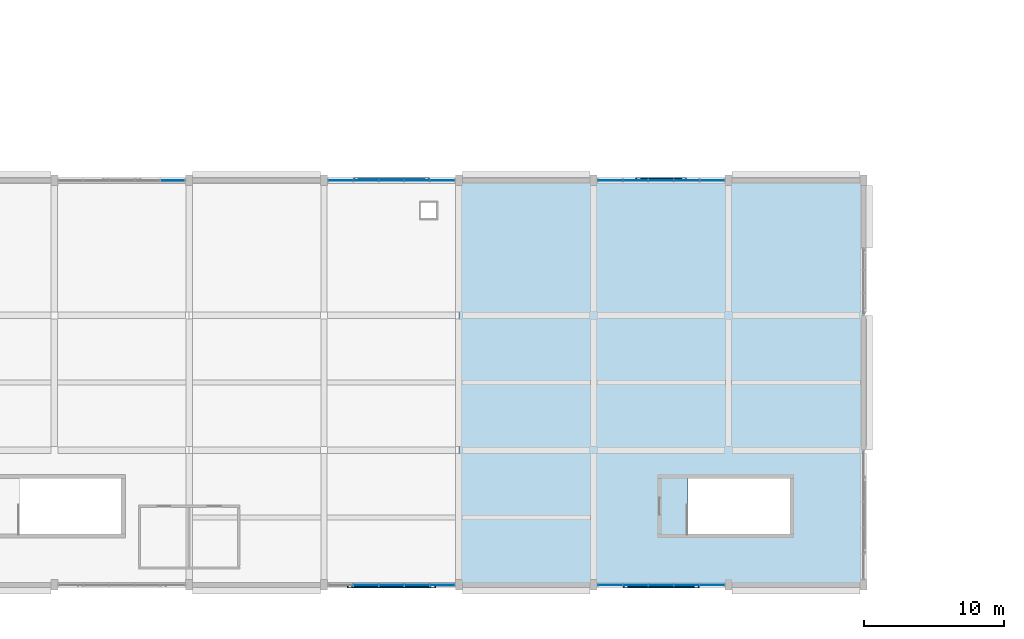
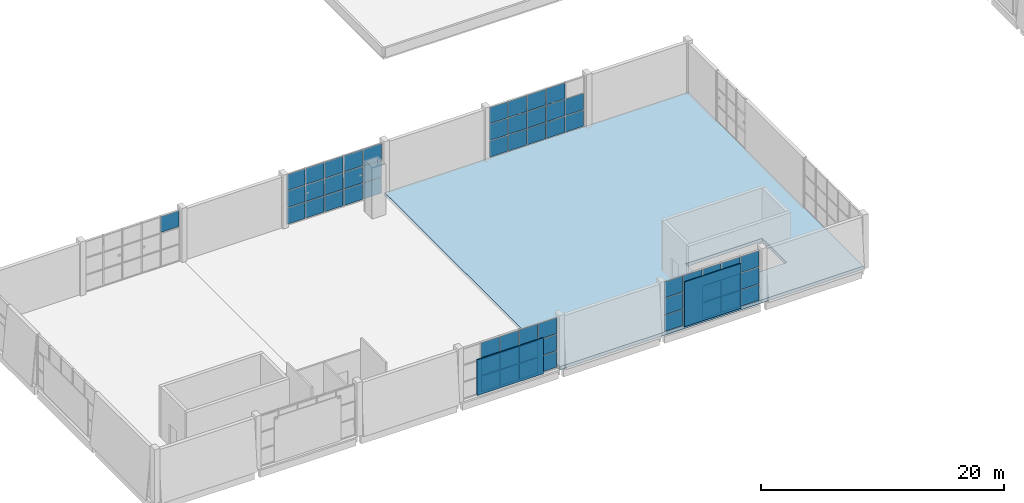
# One storey, part 35 of 72: 61 plates, 1 slab, 5 elements without a shape of their own.
"""IFC4 building model written with IfcOpenShell, lengths in metres."""

from ifc_helpers import new_model, si_unit, direction, frame, origin, origin_2d, place, context, subcontext, project, spatial, polyline, rectangle, outline, extrude, material, layer, layer_set, type_object, element, aggregate, save


model = new_model("IFC4")

# Units and contexts
model_context = context("Model", 3, precision=1e-05, world=origin(), true_north=direction((0.0, 1.0)))
body_context = subcontext(model_context, "Body", "Model", "MODEL_VIEW")
ifc_project = project(units=[si_unit("LENGTHUNIT", "METRE"), si_unit("AREAUNIT", "SQUARE_METRE"), si_unit("VOLUMEUNIT", "CUBIC_METRE"), si_unit("PLANEANGLEUNIT", "RADIAN"), si_unit("MASSUNIT", "GRAM", prefix="KILO")], contexts=[model_context])

# Site, building, storey
site_placement = place(None, origin())
site = spatial("IfcSite", under=ifc_project, at=site_placement, CompositionType="ELEMENT")
building_placement = place(site_placement, origin())
building = spatial("IfcBuilding", under=site, at=building_placement, Name="Shalvenor Court Art Gallery", CompositionType="ELEMENT")
storey_placement = place(building_placement, frame((0.0, 0.0, 11.39990234375)))
storey = spatial("IfcBuildingStorey", under=building, at=storey_placement, Name="L02", CompositionType="ELEMENT", Elevation=11.39990234375)

# Curtain wall, plate
ifc_material_1 = material(Name="Anodised aluminium and low-iron glass curtain wall", Category="aluminium")
curtain_wall_type_1 = type_object("IfcCurtainWallType", Name="CW-5x3-91-51-141", PredefinedType="USERDEFINED", material=ifc_material_1)
curtain_wall_1_placement = place(storey_placement, origin())
curtain_wall_1 = element("IfcCurtainWall", 1, at=curtain_wall_1_placement, inside=storey, type_object=curtain_wall_type_1, Name="L02 V4 Curtain Wall CW-L02-140", ObjectType="CURTAIN WALL", PredefinedType="USERDEFINED")
ifc_material_2 = material(Name="Low-iron UV-laminated double glazing IGU", Category="glass")
ifc_layer_1 = layer(ifc_material_2, 0.028076171875, Name="Low-iron UV-laminated double glazing IGU")
ifc_layer_set_1 = layer_set([ifc_layer_1], Name="Low-iron UV-laminated double glazing IGU")
plate_type_1 = type_object("IfcPlateType", Name="CWP-01", PredefinedType="CURTAIN_PANEL", material=ifc_layer_set_1)
plate_1_placement = place(storey_placement, frame((18.023681640625, 28.800048828125, 3.43505859375), z_axis=(0.0, 0.0, 1.0), x_axis=(1.0, 0.0, 0.0)))
plate_1 = element("IfcPlate", 2, at=plate_1_placement, type_object=plate_type_1, Name="CW-5x3-91-51-141 panel 5.3", PredefinedType="CURTAIN_PANEL", context=body_context, shape_type="SweptSolid", body=[
    extrude(rectangle(XDim=1.722412109375, YDim=0.028076171875, at=origin_2d()), origin(), (0.0, 0.0, 1.0), 1.594970703125),
])
aggregate(curtain_wall_1, [plate_1])

# Curtain wall, plates
ifc_material_3 = material(Name="Anodised aluminium and low-iron glass curtain wall", Category="aluminium")
curtain_wall_type_2 = type_object("IfcCurtainWallType", Name="CW-5x3-91-51-211", PredefinedType="USERDEFINED", material=ifc_material_3)
curtain_wall_2_placement = place(storey_placement, origin())
curtain_wall_2 = element("IfcCurtainWall", 3, at=curtain_wall_2_placement, inside=storey, type_object=curtain_wall_type_2, Name="L02 V4 Curtain Wall CW-L02-141", ObjectType="CURTAIN WALL", PredefinedType="USERDEFINED")
plate_2_placement = place(storey_placement, frame((29.9775390625, 28.800048828125, 0.06005859375), z_axis=(0.0, 0.0, 1.0), x_axis=(1.0, 0.0, 0.0)))
plate_2 = element("IfcPlate", 4, at=plate_2_placement, type_object=plate_type_1, Name="CW-5x3-91-51-211 panel 1.1", PredefinedType="CURTAIN_PANEL", context=body_context, shape_type="SweptSolid", body=[
    extrude(rectangle(XDim=1.715087890625, YDim=0.028076171875, at=origin_2d()), origin(), (0.0, 0.0, 1.0), 1.610107421875),
])
plate_3_placement = place(storey_placement, frame((29.9775390625, 28.800048828125, 1.72998046875), z_axis=(0.0, 0.0, 1.0), x_axis=(1.0, 0.0, 0.0)))
plate_3 = element("IfcPlate", 5, at=plate_3_placement, type_object=plate_type_1, Name="CW-5x3-91-51-211 panel 1.2", PredefinedType="CURTAIN_PANEL", context=body_context, shape_type="SweptSolid", body=[
    extrude(rectangle(XDim=1.715087890625, YDim=0.028076171875, at=origin_2d()), origin(), (0.0, 0.0, 1.0), 1.639892578125),
])
plate_4_placement = place(storey_placement, frame((29.9775390625, 28.800048828125, 3.43017578125), z_axis=(0.0, 0.0, 1.0), x_axis=(1.0, 0.0, 0.0)))
plate_4 = element("IfcPlate", 6, at=plate_4_placement, type_object=plate_type_1, Name="CW-5x3-91-51-211 panel 1.3", PredefinedType="CURTAIN_PANEL", context=body_context, shape_type="SweptSolid", body=[
    extrude(rectangle(XDim=1.715087890625, YDim=0.028076171875, at=origin_2d()), origin(), (0.0, 0.0, 1.0), 1.610107421875),
])
plate_5_placement = place(storey_placement, frame((31.780029296875, 28.800048828125, 0.06005859375), z_axis=(0.0, 0.0, 1.0), x_axis=(1.0, 0.0, 0.0)))
plate_5 = element("IfcPlate", 7, at=plate_5_placement, type_object=plate_type_1, Name="CW-5x3-91-51-211 panel 2.1", PredefinedType="CURTAIN_PANEL", context=body_context, shape_type="SweptSolid", body=[
    extrude(rectangle(XDim=1.75, YDim=0.028076171875, at=origin_2d()), origin(), (0.0, 0.0, 1.0), 1.610107421875),
])
plate_6_placement = place(storey_placement, frame((31.780029296875, 28.800048828125, 1.72998046875), z_axis=(0.0, 0.0, 1.0), x_axis=(1.0, 0.0, 0.0)))
plate_6 = element("IfcPlate", 8, at=plate_6_placement, type_object=plate_type_1, Name="CW-5x3-91-51-211 panel 2.2", PredefinedType="CURTAIN_PANEL", context=body_context, shape_type="SweptSolid", body=[
    extrude(rectangle(XDim=1.75, YDim=0.028076171875, at=origin_2d()), origin(), (0.0, 0.0, 1.0), 1.639892578125),
])
plate_7_placement = place(storey_placement, frame((31.780029296875, 28.800048828125, 3.43017578125), z_axis=(0.0, 0.0, 1.0), x_axis=(1.0, 0.0, 0.0)))
plate_7 = element("IfcPlate", 9, at=plate_7_placement, type_object=plate_type_1, Name="CW-5x3-91-51-211 panel 2.3", PredefinedType="CURTAIN_PANEL", context=body_context, shape_type="SweptSolid", body=[
    extrude(rectangle(XDim=1.75, YDim=0.028076171875, at=origin_2d()), origin(), (0.0, 0.0, 1.0), 1.610107421875),
])
plate_8_placement = place(storey_placement, frame((33.60009765625, 28.800048828125, 0.06005859375), z_axis=(0.0, 0.0, 1.0), x_axis=(1.0, 0.0, 0.0)))
plate_8 = element("IfcPlate", 10, at=plate_8_placement, type_object=plate_type_1, Name="CW-5x3-91-51-211 panel 3.1", PredefinedType="CURTAIN_PANEL", context=body_context, shape_type="SweptSolid", body=[
    extrude(rectangle(XDim=1.75, YDim=0.028076171875, at=origin_2d()), origin(), (0.0, 0.0, 1.0), 1.610107421875),
])
plate_9_placement = place(storey_placement, frame((33.60009765625, 28.800048828125, 1.72998046875), z_axis=(0.0, 0.0, 1.0), x_axis=(1.0, 0.0, 0.0)))
plate_9 = element("IfcPlate", 11, at=plate_9_placement, type_object=plate_type_1, Name="CW-5x3-91-51-211 panel 3.2", PredefinedType="CURTAIN_PANEL", context=body_context, shape_type="SweptSolid", body=[
    extrude(rectangle(XDim=1.75, YDim=0.028076171875, at=origin_2d()), origin(), (0.0, 0.0, 1.0), 1.639892578125),
])
plate_10_placement = place(storey_placement, frame((33.60009765625, 28.800048828125, 3.43017578125), z_axis=(0.0, 0.0, 1.0), x_axis=(1.0, 0.0, 0.0)))
plate_10 = element("IfcPlate", 12, at=plate_10_placement, type_object=plate_type_1, Name="CW-5x3-91-51-211 panel 3.3", PredefinedType="CURTAIN_PANEL", context=body_context, shape_type="SweptSolid", body=[
    extrude(rectangle(XDim=1.75, YDim=0.028076171875, at=origin_2d()), origin(), (0.0, 0.0, 1.0), 1.610107421875),
])
plate_11_placement = place(storey_placement, frame((35.419921875, 28.800048828125, 0.06005859375), z_axis=(0.0, 0.0, 1.0), x_axis=(1.0, 0.0, 0.0)))
plate_11 = element("IfcPlate", 13, at=plate_11_placement, type_object=plate_type_1, Name="CW-5x3-91-51-211 panel 4.1", PredefinedType="CURTAIN_PANEL", context=body_context, shape_type="SweptSolid", body=[
    extrude(rectangle(XDim=1.75, YDim=0.028076171875, at=origin_2d()), origin(), (0.0, 0.0, 1.0), 1.610107421875),
])
plate_12_placement = place(storey_placement, frame((35.419921875, 28.800048828125, 1.72998046875), z_axis=(0.0, 0.0, 1.0), x_axis=(1.0, 0.0, 0.0)))
plate_12 = element("IfcPlate", 14, at=plate_12_placement, type_object=plate_type_1, Name="CW-5x3-91-51-211 panel 4.2", PredefinedType="CURTAIN_PANEL", context=body_context, shape_type="SweptSolid", body=[
    extrude(rectangle(XDim=1.75, YDim=0.028076171875, at=origin_2d()), origin(), (0.0, 0.0, 1.0), 1.639892578125),
])
plate_13_placement = place(storey_placement, frame((35.419921875, 28.800048828125, 3.43017578125), z_axis=(0.0, 0.0, 1.0), x_axis=(1.0, 0.0, 0.0)))
plate_13 = element("IfcPlate", 15, at=plate_13_placement, type_object=plate_type_1, Name="CW-5x3-91-51-211 panel 4.3", PredefinedType="CURTAIN_PANEL", context=body_context, shape_type="SweptSolid", body=[
    extrude(rectangle(XDim=1.75, YDim=0.028076171875, at=origin_2d()), origin(), (0.0, 0.0, 1.0), 1.610107421875),
])
plate_14_placement = place(storey_placement, frame((37.222412109375, 28.800048828125, 0.06005859375), z_axis=(0.0, 0.0, 1.0), x_axis=(1.0, 0.0, 0.0)))
plate_14 = element("IfcPlate", 16, at=plate_14_placement, type_object=plate_type_1, Name="CW-5x3-91-51-211 panel 5.1", PredefinedType="CURTAIN_PANEL", context=body_context, shape_type="SweptSolid", body=[
    extrude(rectangle(XDim=1.715087890625, YDim=0.028076171875, at=origin_2d()), origin(), (0.0, 0.0, 1.0), 1.610107421875),
])
plate_15_placement = place(storey_placement, frame((37.222412109375, 28.800048828125, 1.72998046875), z_axis=(0.0, 0.0, 1.0), x_axis=(1.0, 0.0, 0.0)))
plate_15 = element("IfcPlate", 17, at=plate_15_placement, type_object=plate_type_1, Name="CW-5x3-91-51-211 panel 5.2", PredefinedType="CURTAIN_PANEL", context=body_context, shape_type="SweptSolid", body=[
    extrude(rectangle(XDim=1.715087890625, YDim=0.028076171875, at=origin_2d()), origin(), (0.0, 0.0, 1.0), 1.639892578125),
])
plate_16_placement = place(storey_placement, frame((37.222412109375, 28.800048828125, 3.43017578125), z_axis=(0.0, 0.0, 1.0), x_axis=(1.0, 0.0, 0.0)))
plate_16 = element("IfcPlate", 18, at=plate_16_placement, type_object=plate_type_1, Name="CW-5x3-91-51-211 panel 5.3", PredefinedType="CURTAIN_PANEL", context=body_context, shape_type="SweptSolid", body=[
    extrude(rectangle(XDim=1.715087890625, YDim=0.028076171875, at=origin_2d()), origin(), (0.0, 0.0, 1.0), 1.610107421875),
])
aggregate(curtain_wall_2, [plate_2, plate_3, plate_4, plate_5, plate_6, plate_7, plate_8, plate_9, plate_10, plate_11, plate_12, plate_13, plate_14, plate_15, plate_16])

ifc_material_4 = material(Name="Anodised aluminium and low-iron glass curtain wall", Category="aluminium")
curtain_wall_type_3 = type_object("IfcCurtainWallType", Name="CW-5x3-91-51-421", PredefinedType="USERDEFINED", material=ifc_material_4)
curtain_wall_3_placement = place(storey_placement, origin())
curtain_wall_3 = element("IfcCurtainWall", 19, at=curtain_wall_3_placement, inside=storey, type_object=curtain_wall_type_3, Name="L02 V4 Curtain Wall CW-L02-142", ObjectType="CURTAIN WALL", PredefinedType="USERDEFINED")
plate_17_placement = place(storey_placement, frame((49.1787109375, 28.800048828125, 0.065185546875), z_axis=(0.0, 0.0, 1.0), x_axis=(1.0, 0.0, 0.0)))
plate_17 = element("IfcPlate", 20, at=plate_17_placement, type_object=plate_type_1, Name="CW-5x3-91-51-421 panel 1.1", PredefinedType="CURTAIN_PANEL", context=body_context, shape_type="SweptSolid", body=[
    extrude(rectangle(XDim=1.70751953125, YDim=0.028076171875, at=origin_2d()), origin(), (0.0, 0.0, 1.0), 1.6025390625),
])
plate_18_placement = place(storey_placement, frame((49.1787109375, 28.800048828125, 1.732421875), z_axis=(0.0, 0.0, 1.0), x_axis=(1.0, 0.0, 0.0)))
plate_18 = element("IfcPlate", 21, at=plate_18_placement, type_object=plate_type_1, Name="CW-5x3-91-51-421 panel 1.2", PredefinedType="CURTAIN_PANEL", context=body_context, shape_type="SweptSolid", body=[
    extrude(rectangle(XDim=1.70751953125, YDim=0.028076171875, at=origin_2d()), origin(), (0.0, 0.0, 1.0), 1.635009765625),
])
plate_19_placement = place(storey_placement, frame((49.1787109375, 28.800048828125, 3.4326171875), z_axis=(0.0, 0.0, 1.0), x_axis=(1.0, 0.0, 0.0)))
plate_19 = element("IfcPlate", 22, at=plate_19_placement, type_object=plate_type_1, Name="CW-5x3-91-51-421 panel 1.3", PredefinedType="CURTAIN_PANEL", context=body_context, shape_type="SweptSolid", body=[
    extrude(rectangle(XDim=1.70751953125, YDim=0.028076171875, at=origin_2d()), origin(), (0.0, 0.0, 1.0), 1.6025390625),
])
plate_20_placement = place(storey_placement, frame((50.97998046875, 28.800048828125, 0.065185546875), z_axis=(0.0, 0.0, 1.0), x_axis=(1.0, 0.0, 0.0)))
plate_20 = element("IfcPlate", 23, at=plate_20_placement, type_object=plate_type_1, Name="CW-5x3-91-51-421 panel 2.1", PredefinedType="CURTAIN_PANEL", context=body_context, shape_type="SweptSolid", body=[
    extrude(rectangle(XDim=1.7451171875, YDim=0.028076171875, at=origin_2d()), origin(), (0.0, 0.0, 1.0), 1.6025390625),
])
plate_21_placement = place(storey_placement, frame((50.97998046875, 28.800048828125, 1.732421875), z_axis=(0.0, 0.0, 1.0), x_axis=(1.0, 0.0, 0.0)))
plate_21 = element("IfcPlate", 24, at=plate_21_placement, type_object=plate_type_1, Name="CW-5x3-91-51-421 panel 2.2", PredefinedType="CURTAIN_PANEL", context=body_context, shape_type="SweptSolid", body=[
    extrude(rectangle(XDim=1.7451171875, YDim=0.028076171875, at=origin_2d()), origin(), (0.0, 0.0, 1.0), 1.635009765625),
])
plate_22_placement = place(storey_placement, frame((50.97998046875, 28.800048828125, 3.4326171875), z_axis=(0.0, 0.0, 1.0), x_axis=(1.0, 0.0, 0.0)))
plate_22 = element("IfcPlate", 25, at=plate_22_placement, type_object=plate_type_1, Name="CW-5x3-91-51-421 panel 2.3", PredefinedType="CURTAIN_PANEL", context=body_context, shape_type="SweptSolid", body=[
    extrude(rectangle(XDim=1.7451171875, YDim=0.028076171875, at=origin_2d()), origin(), (0.0, 0.0, 1.0), 1.6025390625),
])
plate_23_placement = place(storey_placement, frame((52.800048828125, 28.800048828125, 0.065185546875), z_axis=(0.0, 0.0, 1.0), x_axis=(1.0, 0.0, 0.0)))
plate_23 = element("IfcPlate", 26, at=plate_23_placement, type_object=plate_type_1, Name="CW-5x3-91-51-421 panel 3.1", PredefinedType="CURTAIN_PANEL", context=body_context, shape_type="SweptSolid", body=[
    extrude(rectangle(XDim=1.7451171875, YDim=0.028076171875, at=origin_2d()), origin(), (0.0, 0.0, 1.0), 1.6025390625),
])
plate_24_placement = place(storey_placement, frame((52.800048828125, 28.800048828125, 1.732421875), z_axis=(0.0, 0.0, 1.0), x_axis=(1.0, 0.0, 0.0)))
plate_24 = element("IfcPlate", 27, at=plate_24_placement, type_object=plate_type_1, Name="CW-5x3-91-51-421 panel 3.2", PredefinedType="CURTAIN_PANEL", context=body_context, shape_type="SweptSolid", body=[
    extrude(rectangle(XDim=1.7451171875, YDim=0.028076171875, at=origin_2d()), origin(), (0.0, 0.0, 1.0), 1.635009765625),
])
plate_25_placement = place(storey_placement, frame((52.800048828125, 28.800048828125, 3.4326171875), z_axis=(0.0, 0.0, 1.0), x_axis=(1.0, 0.0, 0.0)))
plate_25 = element("IfcPlate", 28, at=plate_25_placement, type_object=plate_type_1, Name="CW-5x3-91-51-421 panel 3.3", PredefinedType="CURTAIN_PANEL", context=body_context, shape_type="SweptSolid", body=[
    extrude(rectangle(XDim=1.7451171875, YDim=0.028076171875, at=origin_2d()), origin(), (0.0, 0.0, 1.0), 1.6025390625),
])
plate_26_placement = place(storey_placement, frame((54.6201171875, 28.800048828125, 0.065185546875), z_axis=(0.0, 0.0, 1.0), x_axis=(1.0, 0.0, 0.0)))
plate_26 = element("IfcPlate", 29, at=plate_26_placement, type_object=plate_type_1, Name="CW-5x3-91-51-421 panel 4.1", PredefinedType="CURTAIN_PANEL", context=body_context, shape_type="SweptSolid", body=[
    extrude(rectangle(XDim=1.7451171875, YDim=0.028076171875, at=origin_2d()), origin(), (0.0, 0.0, 1.0), 1.6025390625),
])
plate_27_placement = place(storey_placement, frame((54.6201171875, 28.800048828125, 1.732421875), z_axis=(0.0, 0.0, 1.0), x_axis=(1.0, 0.0, 0.0)))
plate_27 = element("IfcPlate", 30, at=plate_27_placement, type_object=plate_type_1, Name="CW-5x3-91-51-421 panel 4.2", PredefinedType="CURTAIN_PANEL", context=body_context, shape_type="SweptSolid", body=[
    extrude(rectangle(XDim=1.7451171875, YDim=0.028076171875, at=origin_2d()), origin(), (0.0, 0.0, 1.0), 1.635009765625),
])
plate_28_placement = place(storey_placement, frame((54.6201171875, 28.800048828125, 3.4326171875), z_axis=(0.0, 0.0, 1.0), x_axis=(1.0, 0.0, 0.0)))
plate_28 = element("IfcPlate", 31, at=plate_28_placement, type_object=plate_type_1, Name="CW-5x3-91-51-421 panel 4.3", PredefinedType="CURTAIN_PANEL", context=body_context, shape_type="SweptSolid", body=[
    extrude(rectangle(XDim=1.7451171875, YDim=0.028076171875, at=origin_2d()), origin(), (0.0, 0.0, 1.0), 1.6025390625),
])
plate_29_placement = place(storey_placement, frame((56.421142578125, 28.800048828125, 0.065185546875), z_axis=(0.0, 0.0, 1.0), x_axis=(1.0, 0.0, 0.0)))
plate_29 = element("IfcPlate", 32, at=plate_29_placement, type_object=plate_type_1, Name="CW-5x3-91-51-421 panel 5.1", PredefinedType="CURTAIN_PANEL", context=body_context, shape_type="SweptSolid", body=[
    extrude(rectangle(XDim=1.70751953125, YDim=0.028076171875, at=origin_2d()), origin(), (0.0, 0.0, 1.0), 1.6025390625),
])
plate_30_placement = place(storey_placement, frame((56.421142578125, 28.800048828125, 1.732421875), z_axis=(0.0, 0.0, 1.0), x_axis=(1.0, 0.0, 0.0)))
plate_30 = element("IfcPlate", 33, at=plate_30_placement, type_object=plate_type_1, Name="CW-5x3-91-51-421 panel 5.2", PredefinedType="CURTAIN_PANEL", context=body_context, shape_type="SweptSolid", body=[
    extrude(rectangle(XDim=1.70751953125, YDim=0.028076171875, at=origin_2d()), origin(), (0.0, 0.0, 1.0), 1.635009765625),
])
aggregate(curtain_wall_3, [plate_17, plate_18, plate_19, plate_20, plate_21, plate_22, plate_23, plate_24, plate_25, plate_26, plate_27, plate_28, plate_29, plate_30])

ifc_material_5 = material(Name="Anodised aluminium and low-iron glass curtain wall", Category="aluminium")
curtain_wall_type_4 = type_object("IfcCurtainWallType", Name="CW-5x3-91-51-221", PredefinedType="USERDEFINED", material=ifc_material_5)
curtain_wall_4_placement = place(storey_placement, origin())
curtain_wall_4 = element("IfcCurtainWall", 34, at=curtain_wall_4_placement, inside=storey, type_object=curtain_wall_type_4, Name="L02 V4 Curtain Wall CW-L02-145", ObjectType="CURTAIN WALL", PredefinedType="USERDEFINED")
plate_31_placement = place(storey_placement, frame((56.422607421875, 0.0, 0.065185546875), z_axis=(0.0, 0.0, 1.0), x_axis=(-1.0, 0.0, 0.0)))
plate_31 = element("IfcPlate", 35, at=plate_31_placement, type_object=plate_type_1, Name="CW-5x3-91-51-221 panel 1.1", PredefinedType="CURTAIN_PANEL", context=body_context, shape_type="SweptSolid", body=[
    extrude(rectangle(XDim=1.715087890625, YDim=0.028076171875, at=origin_2d()), origin(), (0.0, 0.0, 1.0), 1.6025390625),
])
plate_32_placement = place(storey_placement, frame((56.422607421875, 0.0, 1.732421875), z_axis=(0.0, 0.0, 1.0), x_axis=(-1.0, 0.0, 0.0)))
plate_32 = element("IfcPlate", 36, at=plate_32_placement, type_object=plate_type_1, Name="CW-5x3-91-51-221 panel 1.2", PredefinedType="CURTAIN_PANEL", context=body_context, shape_type="SweptSolid", body=[
    extrude(rectangle(XDim=1.715087890625, YDim=0.028076171875, at=origin_2d()), origin(), (0.0, 0.0, 1.0), 1.635009765625),
])
plate_33_placement = place(storey_placement, frame((56.422607421875, 0.0, 3.4326171875), z_axis=(0.0, 0.0, 1.0), x_axis=(-1.0, 0.0, 0.0)))
plate_33 = element("IfcPlate", 37, at=plate_33_placement, type_object=plate_type_1, Name="CW-5x3-91-51-221 panel 1.3", PredefinedType="CURTAIN_PANEL", context=body_context, shape_type="SweptSolid", body=[
    extrude(rectangle(XDim=1.715087890625, YDim=0.028076171875, at=origin_2d()), origin(), (0.0, 0.0, 1.0), 1.6025390625),
])
plate_34_placement = place(storey_placement, frame((54.6201171875, 0.0, 0.065185546875), z_axis=(0.0, 0.0, 1.0), x_axis=(-1.0, 0.0, 0.0)))
plate_34 = element("IfcPlate", 38, at=plate_34_placement, type_object=plate_type_1, Name="CW-5x3-91-51-221 panel 2.1", PredefinedType="CURTAIN_PANEL", context=body_context, shape_type="SweptSolid", body=[
    extrude(rectangle(XDim=1.75, YDim=0.028076171875, at=origin_2d()), origin(), (0.0, 0.0, 1.0), 1.6025390625),
])
plate_35_placement = place(storey_placement, frame((54.6201171875, 0.0, 1.732421875), z_axis=(0.0, 0.0, 1.0), x_axis=(-1.0, 0.0, 0.0)))
plate_35 = element("IfcPlate", 39, at=plate_35_placement, type_object=plate_type_1, Name="CW-5x3-91-51-221 panel 2.2", PredefinedType="CURTAIN_PANEL", context=body_context, shape_type="SweptSolid", body=[
    extrude(rectangle(XDim=1.75, YDim=0.028076171875, at=origin_2d()), origin(), (0.0, 0.0, 1.0), 1.635009765625),
])
plate_36_placement = place(storey_placement, frame((54.6201171875, 0.0, 3.4326171875), z_axis=(0.0, 0.0, 1.0), x_axis=(-1.0, 0.0, 0.0)))
plate_36 = element("IfcPlate", 40, at=plate_36_placement, type_object=plate_type_1, Name="CW-5x3-91-51-221 panel 2.3", PredefinedType="CURTAIN_PANEL", context=body_context, shape_type="SweptSolid", body=[
    extrude(rectangle(XDim=1.75, YDim=0.028076171875, at=origin_2d()), origin(), (0.0, 0.0, 1.0), 1.6025390625),
])
plate_37_placement = place(storey_placement, frame((52.800048828125, 0.0, 0.065185546875), z_axis=(0.0, 0.0, 1.0), x_axis=(-1.0, 0.0, 0.0)))
plate_37 = element("IfcPlate", 41, at=plate_37_placement, type_object=plate_type_1, Name="CW-5x3-91-51-221 panel 3.1", PredefinedType="CURTAIN_PANEL", context=body_context, shape_type="SweptSolid", body=[
    extrude(rectangle(XDim=1.75, YDim=0.028076171875, at=origin_2d()), origin(), (0.0, 0.0, 1.0), 1.6025390625),
])
plate_38_placement = place(storey_placement, frame((52.800048828125, 0.0, 1.732421875), z_axis=(0.0, 0.0, 1.0), x_axis=(-1.0, 0.0, 0.0)))
plate_38 = element("IfcPlate", 42, at=plate_38_placement, type_object=plate_type_1, Name="CW-5x3-91-51-221 panel 3.2", PredefinedType="CURTAIN_PANEL", context=body_context, shape_type="SweptSolid", body=[
    extrude(rectangle(XDim=1.75, YDim=0.028076171875, at=origin_2d()), origin(), (0.0, 0.0, 1.0), 1.635009765625),
])
plate_39_placement = place(storey_placement, frame((52.800048828125, 0.0, 3.4326171875), z_axis=(0.0, 0.0, 1.0), x_axis=(-1.0, 0.0, 0.0)))
plate_39 = element("IfcPlate", 43, at=plate_39_placement, type_object=plate_type_1, Name="CW-5x3-91-51-221 panel 3.3", PredefinedType="CURTAIN_PANEL", context=body_context, shape_type="SweptSolid", body=[
    extrude(rectangle(XDim=1.75, YDim=0.028076171875, at=origin_2d()), origin(), (0.0, 0.0, 1.0), 1.6025390625),
])
plate_40_placement = place(storey_placement, frame((50.97998046875, 0.0, 0.065185546875), z_axis=(0.0, 0.0, 1.0), x_axis=(-1.0, 0.0, 0.0)))
plate_40 = element("IfcPlate", 44, at=plate_40_placement, type_object=plate_type_1, Name="CW-5x3-91-51-221 panel 4.1", PredefinedType="CURTAIN_PANEL", context=body_context, shape_type="SweptSolid", body=[
    extrude(rectangle(XDim=1.75, YDim=0.028076171875, at=origin_2d()), origin(), (0.0, 0.0, 1.0), 1.6025390625),
])
plate_41_placement = place(storey_placement, frame((50.97998046875, 0.0, 1.732421875), z_axis=(0.0, 0.0, 1.0), x_axis=(-1.0, 0.0, 0.0)))
plate_41 = element("IfcPlate", 45, at=plate_41_placement, type_object=plate_type_1, Name="CW-5x3-91-51-221 panel 4.2", PredefinedType="CURTAIN_PANEL", context=body_context, shape_type="SweptSolid", body=[
    extrude(rectangle(XDim=1.75, YDim=0.028076171875, at=origin_2d()), origin(), (0.0, 0.0, 1.0), 1.635009765625),
])
plate_42_placement = place(storey_placement, frame((50.97998046875, 0.0, 3.4326171875), z_axis=(0.0, 0.0, 1.0), x_axis=(-1.0, 0.0, 0.0)))
plate_42 = element("IfcPlate", 46, at=plate_42_placement, type_object=plate_type_1, Name="CW-5x3-91-51-221 panel 4.3", PredefinedType="CURTAIN_PANEL", context=body_context, shape_type="SweptSolid", body=[
    extrude(rectangle(XDim=1.75, YDim=0.028076171875, at=origin_2d()), origin(), (0.0, 0.0, 1.0), 1.6025390625),
])
plate_43_placement = place(storey_placement, frame((49.177490234375, 0.0, 0.065185546875), z_axis=(0.0, 0.0, 1.0), x_axis=(-1.0, 0.0, 0.0)))
plate_43 = element("IfcPlate", 47, at=plate_43_placement, type_object=plate_type_1, Name="CW-5x3-91-51-221 panel 5.1", PredefinedType="CURTAIN_PANEL", context=body_context, shape_type="SweptSolid", body=[
    extrude(rectangle(XDim=1.715087890625, YDim=0.028076171875, at=origin_2d()), origin(), (0.0, 0.0, 1.0), 1.6025390625),
])
plate_44_placement = place(storey_placement, frame((49.177490234375, 0.0, 1.732421875), z_axis=(0.0, 0.0, 1.0), x_axis=(-1.0, 0.0, 0.0)))
plate_44 = element("IfcPlate", 48, at=plate_44_placement, type_object=plate_type_1, Name="CW-5x3-91-51-221 panel 5.2", PredefinedType="CURTAIN_PANEL", context=body_context, shape_type="SweptSolid", body=[
    extrude(rectangle(XDim=1.715087890625, YDim=0.028076171875, at=origin_2d()), origin(), (0.0, 0.0, 1.0), 1.635009765625),
])
plate_45_placement = place(storey_placement, frame((49.177490234375, 0.0, 3.4326171875), z_axis=(0.0, 0.0, 1.0), x_axis=(-1.0, 0.0, 0.0)))
plate_45 = element("IfcPlate", 49, at=plate_45_placement, type_object=plate_type_1, Name="CW-5x3-91-51-221 panel 5.3", PredefinedType="CURTAIN_PANEL", context=body_context, shape_type="SweptSolid", body=[
    extrude(rectangle(XDim=1.715087890625, YDim=0.028076171875, at=origin_2d()), origin(), (0.0, 0.0, 1.0), 1.6025390625),
])
aggregate(curtain_wall_4, [plate_31, plate_32, plate_33, plate_34, plate_35, plate_36, plate_37, plate_38, plate_39, plate_40, plate_41, plate_42, plate_43, plate_44, plate_45])

ifc_material_6 = material(Name="Anodised aluminium and low-iron glass curtain wall", Category="aluminium")
curtain_wall_type_5 = type_object("IfcCurtainWallType", Name="CW-5x3-91-51-441", PredefinedType="USERDEFINED", material=ifc_material_6)
curtain_wall_5_placement = place(storey_placement, origin())
curtain_wall_5 = element("IfcCurtainWall", 50, at=curtain_wall_5_placement, inside=storey, type_object=curtain_wall_type_5, Name="L02 V4 Curtain Wall CW-L02-146", ObjectType="CURTAIN WALL", PredefinedType="USERDEFINED")
plate_46_placement = place(storey_placement, frame((37.22119140625, 0.0, 0.0703125), z_axis=(0.0, 0.0, 1.0), x_axis=(-1.0, 0.0, 0.0)))
plate_46 = element("IfcPlate", 51, at=plate_46_placement, type_object=plate_type_1, Name="CW-5x3-91-51-441 panel 1.1", PredefinedType="CURTAIN_PANEL", context=body_context, shape_type="SweptSolid", body=[
    extrude(rectangle(XDim=1.70751953125, YDim=0.028076171875, at=origin_2d()), origin(), (0.0, 0.0, 1.0), 1.594970703125),
])
plate_47_placement = place(storey_placement, frame((37.22119140625, 0.0, 1.735107421875), z_axis=(0.0, 0.0, 1.0), x_axis=(-1.0, 0.0, 0.0)))
plate_47 = element("IfcPlate", 52, at=plate_47_placement, type_object=plate_type_1, Name="CW-5x3-91-51-441 panel 1.2", PredefinedType="CURTAIN_PANEL", context=body_context, shape_type="SweptSolid", body=[
    extrude(rectangle(XDim=1.70751953125, YDim=0.028076171875, at=origin_2d()), origin(), (0.0, 0.0, 1.0), 1.6298828125),
])
plate_48_placement = place(storey_placement, frame((37.22119140625, 0.0, 3.43505859375), z_axis=(0.0, 0.0, 1.0), x_axis=(-1.0, 0.0, 0.0)))
plate_48 = element("IfcPlate", 53, at=plate_48_placement, type_object=plate_type_1, Name="CW-5x3-91-51-441 panel 1.3", PredefinedType="CURTAIN_PANEL", context=body_context, shape_type="SweptSolid", body=[
    extrude(rectangle(XDim=1.70751953125, YDim=0.028076171875, at=origin_2d()), origin(), (0.0, 0.0, 1.0), 1.594970703125),
])
plate_49_placement = place(storey_placement, frame((35.419921875, 0.0, 0.0703125), z_axis=(0.0, 0.0, 1.0), x_axis=(-1.0, 0.0, 0.0)))
plate_49 = element("IfcPlate", 54, at=plate_49_placement, type_object=plate_type_1, Name="CW-5x3-91-51-441 panel 2.1", PredefinedType="CURTAIN_PANEL", context=body_context, shape_type="SweptSolid", body=[
    extrude(rectangle(XDim=1.7451171875, YDim=0.028076171875, at=origin_2d()), origin(), (0.0, 0.0, 1.0), 1.594970703125),
])
plate_50_placement = place(storey_placement, frame((35.419921875, 0.0, 1.735107421875), z_axis=(0.0, 0.0, 1.0), x_axis=(-1.0, 0.0, 0.0)))
plate_50 = element("IfcPlate", 55, at=plate_50_placement, type_object=plate_type_1, Name="CW-5x3-91-51-441 panel 2.2", PredefinedType="CURTAIN_PANEL", context=body_context, shape_type="SweptSolid", body=[
    extrude(rectangle(XDim=1.7451171875, YDim=0.028076171875, at=origin_2d()), origin(), (0.0, 0.0, 1.0), 1.6298828125),
])
plate_51_placement = place(storey_placement, frame((35.419921875, 0.0, 3.43505859375), z_axis=(0.0, 0.0, 1.0), x_axis=(-1.0, 0.0, 0.0)))
plate_51 = element("IfcPlate", 56, at=plate_51_placement, type_object=plate_type_1, Name="CW-5x3-91-51-441 panel 2.3", PredefinedType="CURTAIN_PANEL", context=body_context, shape_type="SweptSolid", body=[
    extrude(rectangle(XDim=1.7451171875, YDim=0.028076171875, at=origin_2d()), origin(), (0.0, 0.0, 1.0), 1.594970703125),
])
plate_52_placement = place(storey_placement, frame((33.60009765625, 0.0, 0.0703125), z_axis=(0.0, 0.0, 1.0), x_axis=(-1.0, 0.0, 0.0)))
plate_52 = element("IfcPlate", 57, at=plate_52_placement, type_object=plate_type_1, Name="CW-5x3-91-51-441 panel 3.1", PredefinedType="CURTAIN_PANEL", context=body_context, shape_type="SweptSolid", body=[
    extrude(rectangle(XDim=1.7451171875, YDim=0.028076171875, at=origin_2d()), origin(), (0.0, 0.0, 1.0), 1.594970703125),
])
plate_53_placement = place(storey_placement, frame((33.60009765625, 0.0, 1.735107421875), z_axis=(0.0, 0.0, 1.0), x_axis=(-1.0, 0.0, 0.0)))
plate_53 = element("IfcPlate", 58, at=plate_53_placement, type_object=plate_type_1, Name="CW-5x3-91-51-441 panel 3.2", PredefinedType="CURTAIN_PANEL", context=body_context, shape_type="SweptSolid", body=[
    extrude(rectangle(XDim=1.7451171875, YDim=0.028076171875, at=origin_2d()), origin(), (0.0, 0.0, 1.0), 1.6298828125),
])
plate_54_placement = place(storey_placement, frame((33.60009765625, 0.0, 3.43505859375), z_axis=(0.0, 0.0, 1.0), x_axis=(-1.0, 0.0, 0.0)))
plate_54 = element("IfcPlate", 59, at=plate_54_placement, type_object=plate_type_1, Name="CW-5x3-91-51-441 panel 3.3", PredefinedType="CURTAIN_PANEL", context=body_context, shape_type="SweptSolid", body=[
    extrude(rectangle(XDim=1.7451171875, YDim=0.028076171875, at=origin_2d()), origin(), (0.0, 0.0, 1.0), 1.594970703125),
])
plate_55_placement = place(storey_placement, frame((31.780029296875, 0.0, 0.0703125), z_axis=(0.0, 0.0, 1.0), x_axis=(-1.0, 0.0, 0.0)))
plate_55 = element("IfcPlate", 60, at=plate_55_placement, type_object=plate_type_1, Name="CW-5x3-91-51-441 panel 4.1", PredefinedType="CURTAIN_PANEL", context=body_context, shape_type="SweptSolid", body=[
    extrude(rectangle(XDim=1.7451171875, YDim=0.028076171875, at=origin_2d()), origin(), (0.0, 0.0, 1.0), 1.594970703125),
])
plate_56_placement = place(storey_placement, frame((31.780029296875, 0.0, 1.735107421875), z_axis=(0.0, 0.0, 1.0), x_axis=(-1.0, 0.0, 0.0)))
plate_56 = element("IfcPlate", 61, at=plate_56_placement, type_object=plate_type_1, Name="CW-5x3-91-51-441 panel 4.2", PredefinedType="CURTAIN_PANEL", context=body_context, shape_type="SweptSolid", body=[
    extrude(rectangle(XDim=1.7451171875, YDim=0.028076171875, at=origin_2d()), origin(), (0.0, 0.0, 1.0), 1.6298828125),
])
plate_57_placement = place(storey_placement, frame((31.780029296875, 0.0, 3.43505859375), z_axis=(0.0, 0.0, 1.0), x_axis=(-1.0, 0.0, 0.0)))
plate_57 = element("IfcPlate", 62, at=plate_57_placement, type_object=plate_type_1, Name="CW-5x3-91-51-441 panel 4.3", PredefinedType="CURTAIN_PANEL", context=body_context, shape_type="SweptSolid", body=[
    extrude(rectangle(XDim=1.7451171875, YDim=0.028076171875, at=origin_2d()), origin(), (0.0, 0.0, 1.0), 1.594970703125),
])
aggregate(curtain_wall_5, [plate_46, plate_47, plate_48, plate_49, plate_50, plate_51, plate_52, plate_53, plate_54, plate_55, plate_56, plate_57])

# Slab
ifc_material_7 = material(Name="Concrete C40/50", Category="concrete")
ifc_layer_2 = layer(ifc_material_7, 0.320068359375, Name="Concrete C40/50")
ifc_layer_set_2 = layer_set([ifc_layer_2], Name="Concrete C40/50")
slab_type = type_object("IfcSlabType", Name="FS-320", PredefinedType="FLOOR", material=ifc_layer_set_2)
slab_placement = place(storey_placement, frame((0.0, 0.0, -0.31982421875)))
element("IfcSlab", 63, at=slab_placement, inside=storey, type_object=slab_type, Name="L02 V4 Floor Slab 3", PredefinedType="FLOOR", context=body_context, shape_type="SweptSolid", body=[
    extrude(outline(polyline([(67.199951171875, 28.800048828125), (67.199951171875, 0.0), (38.39990234375, 0.0), (38.39990234375, 28.800048828125), (67.199951171875, 28.800048828125)]), holes=[polyline([(54.7109375, 7.60009765625), (54.7109375, 3.60009765625), (62.0, 3.60009765625), (62.0, 7.60009765625), (54.7109375, 7.60009765625)])]), origin(), (0.0, 0.0, 1.0), 0.31982421875),
])

# Plates
ifc_material_8 = material(Name="Perforated pale limestone GRC lattice", Category="masonry")
ifc_layer_3 = layer(ifc_material_8, 0.090087890625, Name="Perforated pale limestone GRC lattice")
ifc_layer_set_3 = layer_set([ifc_layer_3], Name="Perforated pale limestone GRC lattice")
plate_type_2 = type_object("IfcPlateType", Name="SCR-01", PredefinedType="USERDEFINED", material=ifc_layer_set_3)
plate_58_placement = place(storey_placement, frame((52.800048828125, 28.952880859375, 0.0), z_axis=(0.0, 0.0, 1.0), x_axis=(1.0, 0.0, 0.0)))
element("IfcPlate", 64, at=plate_58_placement, inside=storey, type_object=plate_type_2, Name="L02 V4 Perforated Stone Lattice Screen PLT-SCR-0127", ObjectType="SCREEN", PredefinedType="USERDEFINED", context=body_context, shape_type="SweptSolid", body=[
    extrude(rectangle(XDim=3.60009765625, YDim=0.090087890625, at=origin_2d()), origin(), (0.0, 0.0, 1.0), 3.60009765625),
])
ifc_material_9 = material(Name="Perforated pale limestone GRC lattice", Category="masonry")
ifc_layer_4 = layer(ifc_material_9, 0.090087890625, Name="Perforated pale limestone GRC lattice")
ifc_layer_set_4 = layer_set([ifc_layer_4], Name="Perforated pale limestone GRC lattice")
plate_type_3 = type_object("IfcPlateType", Name="SCR-04", PredefinedType="USERDEFINED", material=ifc_layer_set_4)
plate_59_placement = place(storey_placement, frame((52.800048828125, -0.14306640625, 0.0), z_axis=(0.0, 0.0, 1.0), x_axis=(-1.0, 0.0, 0.0)))
element("IfcPlate", 65, at=plate_59_placement, inside=storey, type_object=plate_type_3, Name="L02 V4 Perforated Stone Lattice Screen PLT-SCR-0130", ObjectType="SCREEN", PredefinedType="USERDEFINED", context=body_context, shape_type="SweptSolid", body=[
    extrude(rectangle(XDim=5.39990234375, YDim=0.090087890625, at=origin_2d()), origin(), (0.0, 0.0, 1.0), 4.5),
])
ifc_material_10 = material(Name="Perforated pale limestone GRC lattice", Category="masonry")
ifc_layer_5 = layer(ifc_material_10, 0.090087890625, Name="Perforated pale limestone GRC lattice")
ifc_layer_set_5 = layer_set([ifc_layer_5], Name="Perforated pale limestone GRC lattice")
plate_type_4 = type_object("IfcPlateType", Name="SCR-05", PredefinedType="USERDEFINED", material=ifc_layer_set_5)
plate_60_placement = place(storey_placement, frame((33.60009765625, -0.153076171875, 0.0), z_axis=(0.0, 0.0, 1.0), x_axis=(-1.0, 0.0, 0.0)))
element("IfcPlate", 66, at=plate_60_placement, inside=storey, type_object=plate_type_4, Name="L02 V4 Perforated Stone Lattice Screen PLT-SCR-0131", ObjectType="SCREEN", PredefinedType="USERDEFINED", context=body_context, shape_type="SweptSolid", body=[
    extrude(rectangle(XDim=6.300048828125, YDim=0.090087890625, at=origin_2d()), origin(), (0.0, 0.0, 1.0), 3.60009765625),
])
ifc_material_11 = material(Name="Perforated pale limestone GRC lattice", Category="masonry")
ifc_layer_6 = layer(ifc_material_11, 0.0849609375, Name="Perforated pale limestone GRC lattice")
ifc_layer_set_6 = layer_set([ifc_layer_6], Name="Perforated pale limestone GRC lattice")
plate_type_5 = type_object("IfcPlateType", Name="SCR-14", PredefinedType="USERDEFINED", material=ifc_layer_set_6)
plate_61_placement = place(storey_placement, frame((33.60009765625, 28.9404296875, 0.0), z_axis=(0.0, 0.0, 1.0), x_axis=(1.0, 0.0, 0.0)))
element("IfcPlate", 67, at=plate_61_placement, inside=storey, type_object=plate_type_5, Name="L02 V4 Perforated Stone Lattice Screen PLT-SCR-0126", ObjectType="SCREEN", PredefinedType="USERDEFINED", context=body_context, shape_type="SweptSolid", body=[
    extrude(rectangle(XDim=5.39990234375, YDim=0.0849609375, at=origin_2d()), origin(), (0.0, 0.0, 1.0), 2.699951171875),
])

save(model, "model.ifc")
